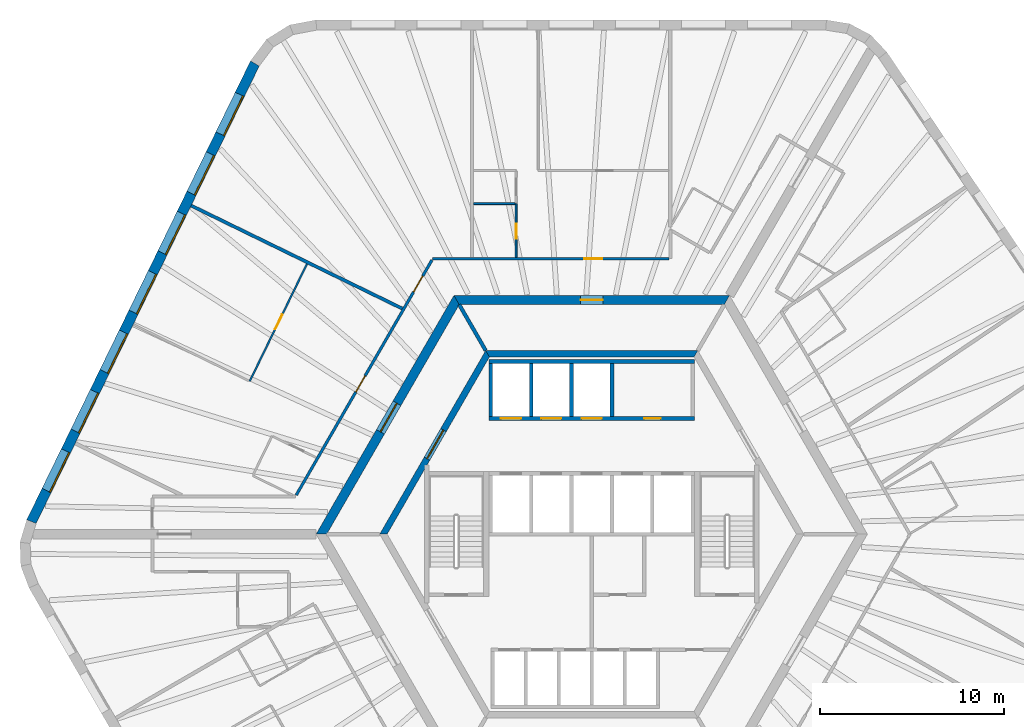
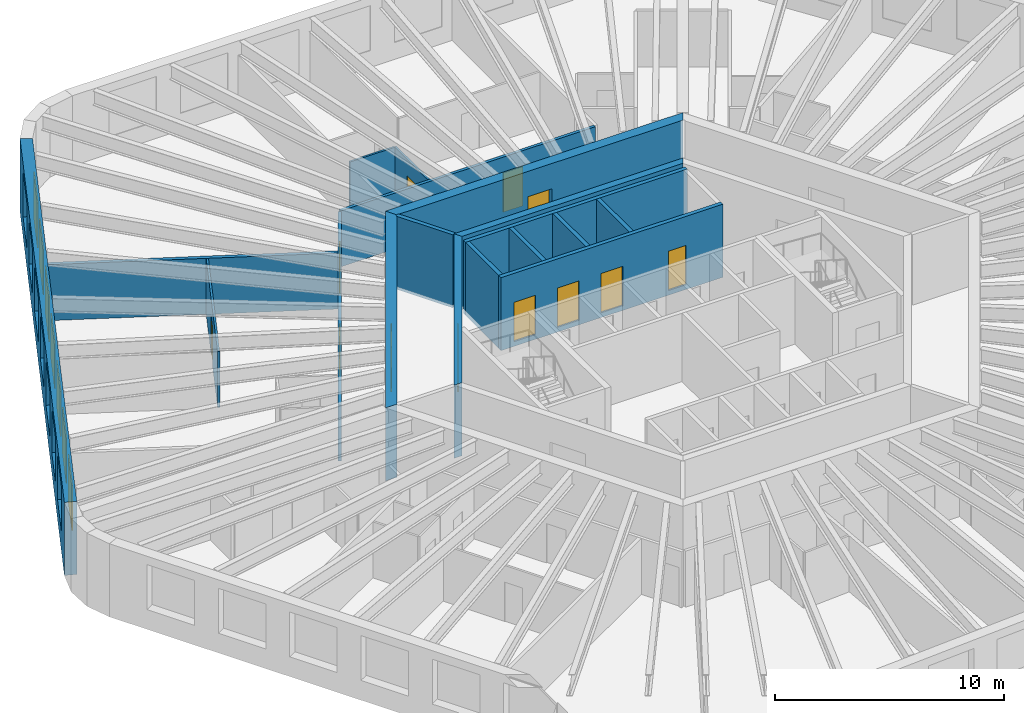
# One storey, part 7 of 10: 18 walls, 12 doors, 7 windows, 19 openings.
"""IFC4 building model written with IfcOpenShell, lengths in metres."""

from ifc_helpers import new_model, si_unit, direction, frame, frame_2d, origin, place, context, subcontext, project, spatial, polyline, rectangle, outline, extrude, material, layer, layer_set, type_object, element, fill, save


model = new_model("IFC4")

# Units and contexts
model_context = context("Model", 3, precision=1e-05, world=origin(), true_north=direction((0.0, 1.0)))
body_context = subcontext(model_context, "Body", "Model", "MODEL_VIEW")
ifc_project = project(units=[si_unit("LENGTHUNIT", "METRE"), si_unit("AREAUNIT", "SQUARE_METRE"), si_unit("VOLUMEUNIT", "CUBIC_METRE"), si_unit("PLANEANGLEUNIT", "RADIAN"), si_unit("MASSUNIT", "GRAM", prefix="KILO")], contexts=[model_context])

# Site, building, storey
site_placement = place(None, origin())
site = spatial("IfcSite", under=ifc_project, at=site_placement, CompositionType="ELEMENT")
building_placement = place(site_placement, origin())
building = spatial("IfcBuilding", under=site, at=building_placement, Name="Tarnside Tower", CompositionType="ELEMENT")
storey_placement = place(building_placement, frame((0.0, 0.0, 203.39990234375)))
storey = spatial("IfcBuildingStorey", under=building, at=storey_placement, Name="L48", CompositionType="ELEMENT", Elevation=203.39990234375)

# Wall, opening, door
ifc_material_1 = material(Name="Gypsum board partition on steel studs", Category="steel")
ifc_layer_1 = layer(ifc_material_1, 0.10009765625)
ifc_layer_set_1 = layer_set([ifc_layer_1], Name="Bathroom wall 100")
wall_type_1 = type_object("IfcWallType", Name="Bathroom wall 100", PredefinedType="PARTITIONING", material=ifc_layer_set_1)
wall_1_placement = place(storey_placement, frame((-4.117919921875, 18.0, 0.0), z_axis=(0.0, 0.0, 1.0), x_axis=(0.0, -1.0, 0.0)))
wall_1 = element("IfcWall", 1, at=wall_1_placement, inside=storey, type_object=wall_type_1, Name="Bathroom wall 15054", PredefinedType="PARTITIONING", context=body_context, shape_type="SweptSolid", body=[
    extrude(rectangle(XDim=2.925048828125, YDim=0.10009765625, at=frame_2d((1.46240234375, 0.0))), origin(), (0.0, 0.0, 1.0), 2.98779296875),
])
opening_1_placement = place(wall_1_placement, frame((1.10009765625, 0.0, 0.0)))
opening_1 = element("IfcOpeningElement", 2, at=opening_1_placement, cuts=wall_1, Name="Opening D-B1", PredefinedType="OPENING", context=body_context, shape_type="SweptSolid", body=[
    extrude(rectangle(XDim=0.800048828125, YDim=2.10009765625, at=frame_2d((0.39990234375, 1.050048828125))), frame((0.0, 0.06005859375, 0.0), z_axis=(0.0, -1.0, 0.0), x_axis=(1.0, 0.0, 0.0)), (0.0, 0.0, 1.0), 0.1201171875),
])
ifc_material_2 = material(Name="Timber door leaf", Category="wood")
door_type_1 = type_object("IfcDoorType", Name="Bathroom door 800", OperationType="NOTDEFINED", PredefinedType="DOOR", material=ifc_material_2)
door_1_placement = place(opening_1_placement, origin())
door_1 = element("IfcDoor", 3, at=door_1_placement, inside=storey, type_object=door_type_1, Name="Bathroom door 15004", OperationType="SINGLE_SWING_LEFT", OverallHeight=2.10009765625, OverallWidth=0.800048828125, PredefinedType="DOOR", context=body_context, shape_type="SweptSolid", body=[
    extrude(rectangle(XDim=0.800048828125, YDim=2.10009765625, at=frame_2d((0.39990234375, 1.050048828125))), frame((0.0, 0.02490234375, 0.0), z_axis=(0.0, -1.0, 0.0), x_axis=(1.0, 0.0, 0.0)), (0.0, 0.0, 1.0), 0.050048828125),
])
fill(opening_1, door_1)

# Wall
wall_2_placement = place(storey_placement, frame((-4.16796875, 18.0, 0.0), z_axis=(0.0, 0.0, 1.0), x_axis=(-1.0, 0.0, 0.0)))
element("IfcWall", 4, at=wall_2_placement, inside=storey, type_object=wall_type_1, Name="Bathroom wall 15060", PredefinedType="PARTITIONING", context=body_context, shape_type="SweptSolid", body=[
    extrude(rectangle(XDim=2.260009765625, YDim=0.10009765625, at=frame_2d((1.1298828125, 0.0))), origin(), (0.0, 0.0, 1.0), 2.98779296875),
])

# Wall, opening, door
ifc_material_3 = material(Name="Concrete C50/60", Category="concrete")
ifc_layer_2 = layer(ifc_material_3, 0.35009765625)
ifc_layer_set_2 = layer_set([ifc_layer_2], Name="Core block wall 350 C50/60")
wall_type_2 = type_object("IfcWallType", Name="Core block wall 350 C50/60", PredefinedType="SHEAR", material=ifc_layer_set_2)
wall_3_placement = place(storey_placement, frame((-5.672607421875, 9.824951171875, -0.14990234375), z_axis=(0.0, 0.0, 1.0), x_axis=(-0.499995046907, -0.866028263435, 0.0)))
wall_3 = element("IfcWall", 5, at=wall_3_placement, inside=storey, type_object=wall_type_2, Name="L48 core block wall face 2", PredefinedType="SHEAR", context=body_context, shape_type="SweptSolid", body=[
    extrude(outline(polyline([(-0.10107421875, -0.175048828125), (11.44580078125, -0.175048828125), (11.24365234375, 0.175048828125), (0.10107421875, 0.175048828125), (-0.10107421875, -0.175048828125)])), origin(), (0.0, 0.0, 1.0), 3.89990234375),
])
opening_2_placement = place(wall_3_placement, frame((4.80126953125, 0.0, 0.14990234375)))
opening_2 = element("IfcOpeningElement", 6, at=opening_2_placement, cuts=wall_3, Name="Opening CD-LOB", PredefinedType="OPENING", context=body_context, shape_type="SweptSolid", body=[
    extrude(rectangle(XDim=1.800048828125, YDim=2.39990234375, at=frame_2d((0.89990234375, 1.199951171875))), frame((0.0, 0.18505859375, 0.0), z_axis=(0.0, -1.0, 0.0), x_axis=(1.0, 0.0, 0.0)), (0.0, 0.0, 1.0), 0.3701171875),
])
ifc_material_4 = material(Name="Steel fire door", Category="steel")
door_type_2 = type_object("IfcDoorType", Name="Lobby double door FD30S 1800x2400", OperationType="NOTDEFINED", PredefinedType="DOOR", material=ifc_material_4)
door_2_placement = place(opening_2_placement, origin())
door_2 = element("IfcDoor", 7, at=door_2_placement, inside=storey, type_object=door_type_2, Name="L48 lobby block door P1", OperationType="DOUBLE_DOOR_SINGLE_SWING", OverallHeight=2.39990234375, OverallWidth=1.800048828125, PredefinedType="DOOR", context=body_context, shape_type="SweptSolid", body=[
    extrude(rectangle(XDim=1.800048828125, YDim=2.39990234375, at=frame_2d((0.89990234375, 1.199951171875))), frame((0.0, 0.02490234375, 0.0), z_axis=(0.0, -1.0, 0.0), x_axis=(1.0, 0.0, 0.0)), (0.0, 0.0, 1.0), 0.050048828125),
])
fill(opening_2, door_2)

# Wall
wall_4_placement = place(storey_placement, frame((5.672607421875, 9.824951171875, -0.14990234375), z_axis=(0.0, 0.0, 1.0), x_axis=(-1.0, 0.0, 0.0)))
element("IfcWall", 8, at=wall_4_placement, inside=storey, type_object=wall_type_2, Name="L48 core block wall face 1", PredefinedType="SHEAR", context=body_context, shape_type="SweptSolid", body=[
    extrude(outline(polyline([(-0.10107421875, -0.175048828125), (11.4462890625, -0.175048828125), (11.244140625, 0.175048828125), (0.10107421875, 0.175048828125), (-0.10107421875, -0.175048828125)])), origin(), (0.0, 0.0, 1.0), 3.89990234375),
])

# Wall, opening, door
ifc_material_5 = material(Name="Concrete C70/85", Category="concrete")
ifc_layer_3 = layer(ifc_material_5, 0.5)
ifc_layer_set_3 = layer_set([ifc_layer_3], Name="Core wall Z2 500 C70/85")
wall_type_3 = type_object("IfcWallType", Name="Core wall Z2 500 C70/85", PredefinedType="SHEAR", material=ifc_layer_set_3)
wall_5_placement = place(storey_placement, frame((-7.361083984375, 12.75, -0.14990234375), z_axis=(0.0, 0.0, 1.0), x_axis=(-0.50000571537, -0.866022103989, 0.0)))
wall_5 = element("IfcWall", 9, at=wall_5_placement, inside=storey, type_object=wall_type_3, Name="L48 core wall face 2", PredefinedType="SHEAR", context=body_context, shape_type="SweptSolid", body=[
    extrude(outline(polyline([(-0.144287109375, -0.25), (14.86669921875, -0.25), (14.578125, 0.25), (0.144287109375, 0.25), (-0.144287109375, -0.25)])), origin(), (0.0, 0.0, 1.0), 3.89990234375),
])
opening_3_placement = place(wall_5_placement, frame((6.489990234375, 0.0, 0.14990234375)))
opening_3 = element("IfcOpeningElement", 10, at=opening_3_placement, cuts=wall_5, Name="Opening CD-LOB", PredefinedType="OPENING", context=body_context, shape_type="SweptSolid", body=[
    extrude(rectangle(XDim=1.800048828125, YDim=2.39990234375, at=frame_2d((0.89990234375, 1.199951171875))), frame((0.0, 0.260009765625, 0.0), z_axis=(0.0, -1.0, 0.0), x_axis=(1.0, 0.0, 0.0)), (0.0, 0.0, 1.0), 0.52001953125),
])
door_3_placement = place(opening_3_placement, origin())
door_3 = element("IfcDoor", 11, at=door_3_placement, inside=storey, type_object=door_type_2, Name="L48 core door P1", OperationType="DOUBLE_DOOR_SINGLE_SWING", OverallHeight=2.39990234375, OverallWidth=1.800048828125, PredefinedType="DOOR", context=body_context, shape_type="SweptSolid", body=[
    extrude(rectangle(XDim=1.800048828125, YDim=2.39990234375, at=frame_2d((0.89990234375, 1.199951171875))), frame((0.0, 0.02490234375, 0.0), z_axis=(0.0, -1.0, 0.0), x_axis=(1.0, 0.0, 0.0)), (0.0, 0.0, 1.0), 0.050048828125),
])
fill(opening_3, door_3)

wall_6_placement = place(storey_placement, frame((7.361083984375, 12.75, -0.14990234375), z_axis=(0.0, 0.0, 1.0), x_axis=(-1.0, 0.0, 0.0)))
wall_6 = element("IfcWall", 12, at=wall_6_placement, inside=storey, type_object=wall_type_3, Name="L48 core wall face 1", PredefinedType="SHEAR", context=body_context, shape_type="SweptSolid", body=[
    extrude(outline(polyline([(-0.144287109375, -0.25), (14.866455078125, -0.25), (14.577880859375, 0.25), (0.144287109375, 0.25), (-0.144287109375, -0.25)])), origin(), (0.0, 0.0, 1.0), 3.89990234375),
])
opening_4_placement = place(wall_6_placement, frame((6.76123046875, 0.0, 0.14990234375)))
opening_4 = element("IfcOpeningElement", 13, at=opening_4_placement, cuts=wall_6, Name="Opening CD-RSR", PredefinedType="OPENING", context=body_context, shape_type="SweptSolid", body=[
    extrude(rectangle(XDim=1.199951171875, YDim=2.39990234375, at=frame_2d((0.60009765625, 1.199951171875))), frame((0.0, 0.260009765625, 0.0), z_axis=(0.0, -1.0, 0.0), x_axis=(1.0, 0.0, 0.0)), (0.0, 0.0, 1.0), 0.52001953125),
])
door_type_3 = type_object("IfcDoorType", Name="Riser door FD60 1200x2400", OperationType="NOTDEFINED", PredefinedType="DOOR", material=ifc_material_4)
door_4_placement = place(opening_4_placement, origin())
door_4 = element("IfcDoor", 14, at=door_4_placement, inside=storey, type_object=door_type_3, Name="L48 core door S5", OperationType="SINGLE_SWING_LEFT", OverallHeight=2.39990234375, OverallWidth=1.199951171875, PredefinedType="DOOR", context=body_context, shape_type="SweptSolid", body=[
    extrude(rectangle(XDim=1.199951171875, YDim=2.39990234375, at=frame_2d((0.60009765625, 1.199951171875))), frame((0.0, 0.02490234375, 0.0), z_axis=(0.0, -1.0, 0.0), x_axis=(1.0, 0.0, 0.0)), (0.0, 0.0, 1.0), 0.050048828125),
])
fill(opening_4, door_4)

ifc_layer_4 = layer(ifc_material_1, 0.14990234375)
ifc_layer_set_4 = layer_set([ifc_layer_4], Name="Corridor wall 150 EI 60")
wall_type_4 = type_object("IfcWallType", Name="Corridor wall 150 EI 60", PredefinedType="PARTITIONING", material=ifc_layer_set_4)
wall_7_placement = place(storey_placement, frame((4.20703125, 15.0, 0.0), z_axis=(0.0, 0.0, 1.0), x_axis=(-1.0, 0.0, 0.0)))
wall_7 = element("IfcWall", 15, at=wall_7_placement, inside=storey, type_object=wall_type_4, Name="Corridor wall 15006", PredefinedType="PARTITIONING", context=body_context, shape_type="SweptSolid", body=[
    extrude(rectangle(XDim=12.8671875, YDim=0.14990234375, at=frame_2d((6.43359375, 0.0))), origin(), (0.0, 0.0, 1.0), 2.98779296875),
])
opening_5_placement = place(wall_7_placement, frame((3.625, 0.0, 0.0)))
opening_5 = element("IfcOpeningElement", 16, at=opening_5_placement, cuts=wall_7, Name="Opening D-E1", PredefinedType="OPENING", context=body_context, shape_type="SweptSolid", body=[
    extrude(rectangle(XDim=1.0, YDim=2.10009765625, at=frame_2d((0.5, 1.050048828125))), frame((0.0, 0.0849609375, 0.0), z_axis=(0.0, -1.0, 0.0), x_axis=(1.0, 0.0, 0.0)), (0.0, 0.0, 1.0), 0.169921875),
])
door_type_4 = type_object("IfcDoorType", Name="Unit entrance door 1000 FD30S", OperationType="NOTDEFINED", PredefinedType="DOOR", material=ifc_material_2)
door_5_placement = place(opening_5_placement, origin())
door_5 = element("IfcDoor", 17, at=door_5_placement, inside=storey, type_object=door_type_4, Name="Unit door 15003", OperationType="SINGLE_SWING_RIGHT", OverallHeight=2.10009765625, OverallWidth=1.0, PredefinedType="DOOR", context=body_context, shape_type="SweptSolid", body=[
    extrude(rectangle(XDim=1.0, YDim=2.10009765625, at=frame_2d((0.5, 1.050048828125))), frame((0.0, 0.02490234375, 0.0), z_axis=(0.0, -1.0, 0.0), x_axis=(1.0, 0.0, 0.0)), (0.0, 0.0, 1.0), 0.050048828125),
])
fill(opening_5, door_5)

# Wall, openings, doors
wall_8_placement = place(storey_placement, frame((-8.70361328125, 14.925048828125, 0.0), z_axis=(0.0, 0.0, 1.0), x_axis=(-0.500001272756, -0.866024668957, 0.0)))
wall_8 = element("IfcWall", 18, at=wall_8_placement, inside=storey, type_object=wall_type_4, Name="Corridor wall 15009", PredefinedType="PARTITIONING", context=body_context, shape_type="SweptSolid", body=[
    extrude(rectangle(XDim=14.7802734375, YDim=0.14990234375, at=frame_2d((7.39013671875, 0.0))), origin(), (0.0, 0.0, 1.0), 2.98779296875),
])
opening_6_placement = place(wall_8_placement, frame((1.0009765625, 0.0, 0.0)))
opening_6 = element("IfcOpeningElement", 19, at=opening_6_placement, cuts=wall_8, Name="Opening D-E1", PredefinedType="OPENING", context=body_context, shape_type="SweptSolid", body=[
    extrude(rectangle(XDim=1.0, YDim=2.10009765625, at=frame_2d((0.5, 1.050048828125))), frame((0.0, 0.0849609375, 0.0), z_axis=(0.0, -1.0, 0.0), x_axis=(1.0, 0.0, 0.0)), (0.0, 0.0, 1.0), 0.169921875),
])
opening_7_placement = place(wall_8_placement, frame((7.28076171875, 0.0, 0.0)))
opening_7 = element("IfcOpeningElement", 20, at=opening_7_placement, cuts=wall_8, Name="Opening D-E1", PredefinedType="OPENING", context=body_context, shape_type="SweptSolid", body=[
    extrude(rectangle(XDim=1.0, YDim=2.10009765625, at=frame_2d((0.5, 1.050048828125))), frame((0.0, 0.0849609375, 0.0), z_axis=(0.0, -1.0, 0.0), x_axis=(1.0, 0.0, 0.0)), (0.0, 0.0, 1.0), 0.169921875),
])
door_6_placement = place(opening_6_placement, origin())
door_6 = element("IfcDoor", 21, at=door_6_placement, inside=storey, type_object=door_type_4, Name="Unit door 15007", OperationType="SINGLE_SWING_RIGHT", OverallHeight=2.10009765625, OverallWidth=1.0, PredefinedType="DOOR", context=body_context, shape_type="SweptSolid", body=[
    extrude(rectangle(XDim=1.0, YDim=2.10009765625, at=frame_2d((0.5, 1.050048828125))), frame((0.0, 0.02490234375, 0.0), z_axis=(0.0, -1.0, 0.0), x_axis=(1.0, 0.0, 0.0)), (0.0, 0.0, 1.0), 0.050048828125),
])
fill(opening_6, door_6)
door_7_placement = place(opening_7_placement, origin())
door_7 = element("IfcDoor", 22, at=door_7_placement, inside=storey, type_object=door_type_4, Name="Unit door 15008", OperationType="SINGLE_SWING_RIGHT", OverallHeight=2.10009765625, OverallWidth=1.0, PredefinedType="DOOR", context=body_context, shape_type="SweptSolid", body=[
    extrude(rectangle(XDim=1.0, YDim=2.10009765625, at=frame_2d((0.5, 1.050048828125))), frame((0.0, 0.02490234375, 0.0), z_axis=(0.0, -1.0, 0.0), x_axis=(1.0, 0.0, 0.0)), (0.0, 0.0, 1.0), 0.050048828125),
])
fill(opening_7, door_7)

# Wall
ifc_layer_5 = layer(ifc_material_1, 0.179931640625)
ifc_layer_set_5 = layer_set([ifc_layer_5], Name="Demising wall 180 EI 60")
wall_type_5 = type_object("IfcWallType", Name="Demising wall 180 EI 60", PredefinedType="PARTITIONING", material=ifc_layer_set_5)
wall_9_placement = place(storey_placement, frame((-21.814697265625, 17.8916015625, 0.0), z_axis=(0.0, 0.0, 1.0), x_axis=(0.898799253997, -0.438360469265, 0.0)))
element("IfcWall", 23, at=wall_9_placement, inside=storey, type_object=wall_type_5, Name="Demising wall 15063", PredefinedType="PARTITIONING", context=body_context, shape_type="SweptSolid", body=[
    extrude(rectangle(XDim=12.7939453125, YDim=0.179931640625, at=frame_2d((6.39697265625, 0.0))), origin(), (0.0, 0.0, 1.0), 2.98779296875),
])

# Wall, openings, doors
ifc_material_6 = material(Name="Concrete C40/50", Category="concrete")
ifc_layer_6 = layer(ifc_material_6, 0.199951171875)
ifc_layer_set_6 = layer_set([ifc_layer_6], Name="Lift shaft wall 200 C40/50")
wall_type_6 = type_object("IfcWallType", Name="Lift shaft wall 200 C40/50", PredefinedType="SHEAR", material=ifc_layer_set_6)
wall_10_placement = place(storey_placement, frame((-5.60009765625, 6.300048828125, -0.25), z_axis=(0.0, 0.0, 1.0), x_axis=(1.0, 0.0, 0.0)))
wall_10 = element("IfcWall", 24, at=wall_10_placement, inside=storey, type_object=wall_type_6, Name="L48 lift shaft front wall R1", PredefinedType="SHEAR", context=body_context, shape_type="SweptSolid", body=[
    extrude(rectangle(XDim=11.2001953125, YDim=0.199951171875, at=frame_2d((5.60009765625, 0.0))), origin(), (0.0, 0.0, 1.0), 3.900146484375),
])
opening_8_placement = place(wall_10_placement, frame((8.449951171875, 0.0, 0.25)))
opening_8 = element("IfcOpeningElement", 25, at=opening_8_placement, cuts=wall_10, Name="Opening CD-room", PredefinedType="OPENING", context=body_context, shape_type="SweptSolid", body=[
    extrude(rectangle(XDim=0.89990234375, YDim=2.10009765625, at=frame_2d((0.449951171875, 1.050048828125))), frame((0.0, 0.10986328125, 0.0), z_axis=(0.0, -1.0, 0.0), x_axis=(1.0, 0.0, 0.0)), (0.0, 0.0, 1.0), 0.219970703125),
])
opening_9_placement = place(wall_10_placement, frame((0.64990234375, 0.0, 0.25)))
opening_9 = element("IfcOpeningElement", 26, at=opening_9_placement, cuts=wall_10, Name="Opening LD", PredefinedType="OPENING", context=body_context, shape_type="SweptSolid", body=[
    extrude(rectangle(XDim=1.10009765625, YDim=2.10009765625, at=frame_2d((0.550048828125, 1.050048828125))), frame((0.0, 0.10986328125, 0.0), z_axis=(0.0, -1.0, 0.0), x_axis=(1.0, 0.0, 0.0)), (0.0, 0.0, 1.0), 0.219970703125),
])
opening_10_placement = place(wall_10_placement, frame((2.85009765625, 0.0, 0.25)))
opening_10 = element("IfcOpeningElement", 27, at=opening_10_placement, cuts=wall_10, Name="Opening LD", PredefinedType="OPENING", context=body_context, shape_type="SweptSolid", body=[
    extrude(rectangle(XDim=1.10009765625, YDim=2.10009765625, at=frame_2d((0.550048828125, 1.050048828125))), frame((0.0, 0.10986328125, 0.0), z_axis=(0.0, -1.0, 0.0), x_axis=(1.0, 0.0, 0.0)), (0.0, 0.0, 1.0), 0.219970703125),
])
opening_11_placement = place(wall_10_placement, frame((5.050048828125, 0.0, 0.25)))
opening_11 = element("IfcOpeningElement", 28, at=opening_11_placement, cuts=wall_10, Name="Opening LD", PredefinedType="OPENING", context=body_context, shape_type="SweptSolid", body=[
    extrude(rectangle(XDim=1.10009765625, YDim=2.10009765625, at=frame_2d((0.550048828125, 1.050048828125))), frame((0.0, 0.10986328125, 0.0), z_axis=(0.0, -1.0, 0.0), x_axis=(1.0, 0.0, 0.0)), (0.0, 0.0, 1.0), 0.219970703125),
])
ifc_material_7 = material(Name="Stainless steel", Category="steel")
door_type_5 = type_object("IfcDoorType", Name="Lift landing door 1100x2100", OperationType="NOTDEFINED", PredefinedType="DOOR", material=ifc_material_7)
door_8_placement = place(opening_9_placement, origin())
door_8 = element("IfcDoor", 29, at=door_8_placement, inside=storey, type_object=door_type_5, Name="Mid-rise lift 1 landing door L48", OperationType="SLIDING_TO_LEFT", OverallHeight=2.10009765625, OverallWidth=1.10009765625, PredefinedType="DOOR", context=body_context, shape_type="SweptSolid", body=[
    extrude(rectangle(XDim=1.10009765625, YDim=2.10009765625, at=frame_2d((0.550048828125, 1.050048828125))), frame((0.0, 0.02490234375, 0.0), z_axis=(0.0, -1.0, 0.0), x_axis=(1.0, 0.0, 0.0)), (0.0, 0.0, 1.0), 0.050048828125),
])
fill(opening_9, door_8)
door_9_placement = place(opening_10_placement, origin())
door_9 = element("IfcDoor", 30, at=door_9_placement, inside=storey, type_object=door_type_5, Name="Mid-rise lift 2 landing door L48", OperationType="SLIDING_TO_LEFT", OverallHeight=2.10009765625, OverallWidth=1.10009765625, PredefinedType="DOOR", context=body_context, shape_type="SweptSolid", body=[
    extrude(rectangle(XDim=1.10009765625, YDim=2.10009765625, at=frame_2d((0.550048828125, 1.050048828125))), frame((0.0, 0.02490234375, 0.0), z_axis=(0.0, -1.0, 0.0), x_axis=(1.0, 0.0, 0.0)), (0.0, 0.0, 1.0), 0.050048828125),
])
fill(opening_10, door_9)
door_10_placement = place(opening_11_placement, origin())
door_10 = element("IfcDoor", 31, at=door_10_placement, inside=storey, type_object=door_type_5, Name="Mid-rise lift 3 landing door L48", OperationType="SLIDING_TO_LEFT", OverallHeight=2.10009765625, OverallWidth=1.10009765625, PredefinedType="DOOR", context=body_context, shape_type="SweptSolid", body=[
    extrude(rectangle(XDim=1.10009765625, YDim=2.10009765625, at=frame_2d((0.550048828125, 1.050048828125))), frame((0.0, 0.02490234375, 0.0), z_axis=(0.0, -1.0, 0.0), x_axis=(1.0, 0.0, 0.0)), (0.0, 0.0, 1.0), 0.050048828125),
])
fill(opening_11, door_10)
door_type_6 = type_object("IfcDoorType", Name="Room door FD60 900x2100", OperationType="NOTDEFINED", PredefinedType="DOOR", material=ifc_material_4)
door_11_placement = place(opening_8_placement, origin())
door_11 = element("IfcDoor", 32, at=door_11_placement, inside=storey, type_object=door_type_6, Name="L48 core room door FC1", OperationType="SINGLE_SWING_LEFT", OverallHeight=2.10009765625, OverallWidth=0.89990234375, PredefinedType="DOOR", context=body_context, shape_type="SweptSolid", body=[
    extrude(rectangle(XDim=0.89990234375, YDim=2.10009765625, at=frame_2d((0.449951171875, 1.050048828125))), frame((0.0, 0.02490234375, 0.0), z_axis=(0.0, -1.0, 0.0), x_axis=(1.0, 0.0, 0.0)), (0.0, 0.0, 1.0), 0.050048828125),
])
fill(opening_8, door_11)

# Walls
wall_11_placement = place(storey_placement, frame((-5.60009765625, 9.39990234375, -0.25), z_axis=(0.0, 0.0, 1.0), x_axis=(1.0, 0.0, 0.0)))
element("IfcWall", 33, at=wall_11_placement, inside=storey, type_object=wall_type_6, Name="L48 lift shaft back wall R1", PredefinedType="SHEAR", context=body_context, shape_type="SweptSolid", body=[
    extrude(rectangle(XDim=11.2001953125, YDim=0.199951171875, at=frame_2d((5.60009765625, 0.0))), origin(), (0.0, 0.0, 1.0), 3.900146484375),
])
for number, where, z_axis, x_axis, name in (
    (34, (-5.5, 6.39990234375, -0.25), (0.0, 0.0, 1.0), (0.0, 1.0, 0.0), "L48 lift shaft partition R11"),
    (35, (-3.300048828125, 6.39990234375, -0.25), (0.0, 0.0, 1.0), (0.0, 1.0, 0.0), "L48 lift shaft partition R12"),
    (36, (-1.10009765625, 6.39990234375, -0.25), (0.0, 0.0, 1.0), (0.0, 1.0, 0.0), "L48 lift shaft partition R13"),
    (37, (1.10009765625, 6.39990234375, -0.25), (0.0, 0.0, 1.0), (0.0, 1.0, 0.0), "L48 lift shaft partition R14"),
):
    element("IfcWall", number, at=place(storey_placement, frame(where, z_axis=z_axis, x_axis=x_axis)), inside=storey, type_object=wall_type_6, Name=name, PredefinedType="SHEAR", context=body_context, shape_type="SweptSolid", body=[
        extrude(rectangle(XDim=2.900146484375, YDim=0.199951171875, at=frame_2d((1.4501953125, 0.0))), origin(), (0.0, 0.0, 1.0), 3.900146484375),
    ])
wall_12_placement = place(storey_placement, frame((-5.7734375, 10.0, -0.14990234375), z_axis=(0.0, 0.0, 1.0), x_axis=(-0.499995765644, 0.866027848477, 0.0)))
element("IfcWall", 38, at=wall_12_placement, inside=storey, type_object=wall_type_6, Name="L48 core partition AR120", PredefinedType="SHEAR", context=body_context, shape_type="SweptSolid", body=[
    extrude(rectangle(XDim=2.88671875, YDim=0.199951171875, at=frame_2d((1.443359375, 0.0))), origin(), (0.0, 0.0, 1.0), 3.89990234375),
])

# Wall, opening, door
ifc_layer_7 = layer(ifc_material_1, 0.10009765625)
ifc_layer_set_7 = layer_set([ifc_layer_7], Name="Partition 100")
wall_type_7 = type_object("IfcWallType", Name="Partition 100", PredefinedType="PARTITIONING", material=ifc_layer_set_7)
wall_13_placement = place(storey_placement, frame((-15.510009765625, 14.716552734375, 0.0), z_axis=(0.0, 0.0, 1.0), x_axis=(-0.438387776054, -0.898785935475, 0.0)))
wall_13 = element("IfcWall", 39, at=wall_13_placement, inside=storey, type_object=wall_type_7, Name="Partition wall 15068", PredefinedType="PARTITIONING", context=body_context, shape_type="SweptSolid", body=[
    extrude(rectangle(XDim=7.110107421875, YDim=0.10009765625, at=frame_2d((3.55517578125, 0.0))), origin(), (0.0, 0.0, 1.0), 2.98779296875),
])
opening_12_placement = place(wall_13_placement, frame((3.06005859375, 0.0, 0.0)))
opening_12 = element("IfcOpeningElement", 40, at=opening_12_placement, cuts=wall_13, Name="Opening D-I1", PredefinedType="OPENING", context=body_context, shape_type="SweptSolid", body=[
    extrude(rectangle(XDim=0.89990234375, YDim=2.10009765625, at=frame_2d((0.449951171875, 1.050048828125))), frame((0.0, 0.06005859375, 0.0), z_axis=(0.0, -1.0, 0.0), x_axis=(1.0, 0.0, 0.0)), (0.0, 0.0, 1.0), 0.1201171875),
])
door_type_7 = type_object("IfcDoorType", Name="Internal door 900", OperationType="NOTDEFINED", PredefinedType="DOOR", material=ifc_material_2)
door_12_placement = place(opening_12_placement, origin())
door_12 = element("IfcDoor", 41, at=door_12_placement, inside=storey, type_object=door_type_7, Name="Internal door 15010", OperationType="SINGLE_SWING_RIGHT", OverallHeight=2.10009765625, OverallWidth=0.89990234375, PredefinedType="DOOR", context=body_context, shape_type="SweptSolid", body=[
    extrude(rectangle(XDim=0.89990234375, YDim=2.10009765625, at=frame_2d((0.449951171875, 1.050048828125))), frame((0.0, 0.02490234375, 0.0), z_axis=(0.0, -1.0, 0.0), x_axis=(1.0, 0.0, 0.0)), (0.0, 0.0, 1.0), 0.050048828125),
])
fill(opening_12, door_12)

# Wall, openings, windows
ifc_material_8 = material(Name="Facing brick", Category="masonry")
ifc_layer_8 = layer(ifc_material_8, 0.10205078125)
ifc_material_9 = material(Name="Concrete C60/75 precast", Category="concrete")
ifc_layer_9 = layer(ifc_material_9, 0.347900390625)
ifc_material_10 = material(Name="Mineral wool insulation")
ifc_layer_10 = layer(ifc_material_10, 0.10009765625)
ifc_layer_set_8 = layer_set([ifc_layer_8, ifc_layer_9, ifc_layer_10], Name="Tube wall 550 brick faced")
wall_type_8 = type_object("IfcWallType", Name="Tube wall 550 brick faced", PredefinedType="SOLIDWALL", material=ifc_layer_set_8)
wall_14_placement = place(storey_placement, frame((-18.344970703125, 25.6328125, -0.14990234375), z_axis=(0.0, 0.0, 1.0), x_axis=(-0.43837181828, -0.898793718791, 0.0)))
wall_14 = element("IfcWall", 42, at=wall_14_placement, inside=storey, type_object=wall_type_8, Name="Tube wall L48 F2 flush 04", PredefinedType="SOLIDWALL", context=body_context, shape_type="SweptSolid", body=[
    extrude(outline(polyline([(-0.025634765625, -0.27490234375), (27.7802734375, -0.27490234375), (27.7353515625, 0.27490234375), (0.025634765625, 0.27490234375), (-0.025634765625, -0.27490234375)])), origin(), (0.0, 0.0, 1.0), 3.89990234375),
])
opening_13_placement = place(wall_14_placement, frame((1.87890625, 0.0, 1.050048828125)))
opening_13 = element("IfcOpeningElement", 43, at=opening_13_placement, cuts=wall_14, Name="Opening WH", PredefinedType="OPENING", context=body_context, shape_type="SweptSolid", body=[
    extrude(rectangle(XDim=2.39990234375, YDim=2.39990234375, at=frame_2d((1.199951171875, 1.199951171875))), frame((0.0, 0.28515625, 0.0), z_axis=(0.0, -1.0, 0.0), x_axis=(1.0, 0.0, 0.0)), (0.0, 0.0, 1.0), 0.570068359375),
])
opening_14_placement = place(wall_14_placement, frame((5.47900390625, 0.0, 1.050048828125)))
opening_14 = element("IfcOpeningElement", 44, at=opening_14_placement, cuts=wall_14, Name="Opening WH", PredefinedType="OPENING", context=body_context, shape_type="SweptSolid", body=[
    extrude(rectangle(XDim=2.39990234375, YDim=2.39990234375, at=frame_2d((1.199951171875, 1.199951171875))), frame((0.0, 0.28515625, 0.0), z_axis=(0.0, -1.0, 0.0), x_axis=(1.0, 0.0, 0.0)), (0.0, 0.0, 1.0), 0.570068359375),
])
opening_15_placement = place(wall_14_placement, frame((9.078857421875, 0.0, 1.050048828125)))
opening_15 = element("IfcOpeningElement", 45, at=opening_15_placement, cuts=wall_14, Name="Opening WH", PredefinedType="OPENING", context=body_context, shape_type="SweptSolid", body=[
    extrude(rectangle(XDim=2.39990234375, YDim=2.39990234375, at=frame_2d((1.199951171875, 1.199951171875))), frame((0.0, 0.28515625, 0.0), z_axis=(0.0, -1.0, 0.0), x_axis=(1.0, 0.0, 0.0)), (0.0, 0.0, 1.0), 0.570068359375),
])
opening_16_placement = place(wall_14_placement, frame((12.678955078125, 0.0, 1.050048828125)))
opening_16 = element("IfcOpeningElement", 46, at=opening_16_placement, cuts=wall_14, Name="Opening WH", PredefinedType="OPENING", context=body_context, shape_type="SweptSolid", body=[
    extrude(rectangle(XDim=2.39990234375, YDim=2.39990234375, at=frame_2d((1.199951171875, 1.199951171875))), frame((0.0, 0.28515625, 0.0), z_axis=(0.0, -1.0, 0.0), x_axis=(1.0, 0.0, 0.0)), (0.0, 0.0, 1.0), 0.570068359375),
])
opening_17_placement = place(wall_14_placement, frame((16.27880859375, 0.0, 1.050048828125)))
opening_17 = element("IfcOpeningElement", 47, at=opening_17_placement, cuts=wall_14, Name="Opening WH", PredefinedType="OPENING", context=body_context, shape_type="SweptSolid", body=[
    extrude(rectangle(XDim=2.39990234375, YDim=2.39990234375, at=frame_2d((1.199951171875, 1.199951171875))), frame((0.0, 0.28515625, 0.0), z_axis=(0.0, -1.0, 0.0), x_axis=(1.0, 0.0, 0.0)), (0.0, 0.0, 1.0), 0.570068359375),
])
opening_18_placement = place(wall_14_placement, frame((19.87890625, 0.0, 1.050048828125)))
opening_18 = element("IfcOpeningElement", 48, at=opening_18_placement, cuts=wall_14, Name="Opening WH", PredefinedType="OPENING", context=body_context, shape_type="SweptSolid", body=[
    extrude(rectangle(XDim=2.39990234375, YDim=2.39990234375, at=frame_2d((1.199951171875, 1.199951171875))), frame((0.0, 0.28515625, 0.0), z_axis=(0.0, -1.0, 0.0), x_axis=(1.0, 0.0, 0.0)), (0.0, 0.0, 1.0), 0.570068359375),
])
opening_19_placement = place(wall_14_placement, frame((23.47900390625, 0.0, 1.050048828125)))
opening_19 = element("IfcOpeningElement", 49, at=opening_19_placement, cuts=wall_14, Name="Opening WH", PredefinedType="OPENING", context=body_context, shape_type="SweptSolid", body=[
    extrude(rectangle(XDim=2.39990234375, YDim=2.39990234375, at=frame_2d((1.199951171875, 1.199951171875))), frame((0.0, 0.28515625, 0.0), z_axis=(0.0, -1.0, 0.0), x_axis=(1.0, 0.0, 0.0)), (0.0, 0.0, 1.0), 0.570068359375),
])
ifc_material_11 = material(Name="Aluminium-framed double glazing", Category="aluminium")
window_type = type_object("IfcWindowType", Name="Hotel window 2400 x 2400", PartitioningType="DOUBLE_PANEL_VERTICAL", PredefinedType="WINDOW", material=ifc_material_11)
window_1_placement = place(opening_13_placement, frame((0.0, 0.205078125, 0.0)))
window_1 = element("IfcWindow", 50, at=window_1_placement, inside=storey, type_object=window_type, Name="E.WN.L48.F2.00", OverallHeight=2.39990234375, OverallWidth=2.39990234375, PartitioningType="DOUBLE_PANEL_VERTICAL", PredefinedType="WINDOW", context=body_context, shape_type="SweptSolid", body=[
    extrude(rectangle(XDim=2.39990234375, YDim=2.39990234375, at=frame_2d((1.199951171875, 1.199951171875))), frame((0.0, 0.030029296875, 0.0), z_axis=(0.0, -1.0, 0.0), x_axis=(1.0, 0.0, 0.0)), (0.0, 0.0, 1.0), 0.06005859375),
])
fill(opening_13, window_1)
window_2_placement = place(opening_14_placement, frame((0.0, 0.205078125, 0.0)))
window_2 = element("IfcWindow", 51, at=window_2_placement, inside=storey, type_object=window_type, Name="E.WN.L48.F2.01", OverallHeight=2.39990234375, OverallWidth=2.39990234375, PartitioningType="DOUBLE_PANEL_VERTICAL", PredefinedType="WINDOW", context=body_context, shape_type="SweptSolid", body=[
    extrude(rectangle(XDim=2.39990234375, YDim=2.39990234375, at=frame_2d((1.199951171875, 1.199951171875))), frame((0.0, 0.030029296875, 0.0), z_axis=(0.0, -1.0, 0.0), x_axis=(1.0, 0.0, 0.0)), (0.0, 0.0, 1.0), 0.06005859375),
])
fill(opening_14, window_2)
window_3_placement = place(opening_15_placement, frame((0.0, 0.205078125, 0.0)))
window_3 = element("IfcWindow", 52, at=window_3_placement, inside=storey, type_object=window_type, Name="E.WN.L48.F2.02", OverallHeight=2.39990234375, OverallWidth=2.39990234375, PartitioningType="DOUBLE_PANEL_VERTICAL", PredefinedType="WINDOW", context=body_context, shape_type="SweptSolid", body=[
    extrude(rectangle(XDim=2.39990234375, YDim=2.39990234375, at=frame_2d((1.199951171875, 1.199951171875))), frame((0.0, 0.030029296875, 0.0), z_axis=(0.0, -1.0, 0.0), x_axis=(1.0, 0.0, 0.0)), (0.0, 0.0, 1.0), 0.06005859375),
])
fill(opening_15, window_3)
window_4_placement = place(opening_16_placement, frame((0.0, 0.205078125, 0.0)))
window_4 = element("IfcWindow", 53, at=window_4_placement, inside=storey, type_object=window_type, Name="E.WN.L48.F2.03", OverallHeight=2.39990234375, OverallWidth=2.39990234375, PartitioningType="DOUBLE_PANEL_VERTICAL", PredefinedType="WINDOW", context=body_context, shape_type="SweptSolid", body=[
    extrude(rectangle(XDim=2.39990234375, YDim=2.39990234375, at=frame_2d((1.199951171875, 1.199951171875))), frame((0.0, 0.030029296875, 0.0), z_axis=(0.0, -1.0, 0.0), x_axis=(1.0, 0.0, 0.0)), (0.0, 0.0, 1.0), 0.06005859375),
])
fill(opening_16, window_4)
window_5_placement = place(opening_17_placement, frame((0.0, 0.205078125, 0.0)))
window_5 = element("IfcWindow", 54, at=window_5_placement, inside=storey, type_object=window_type, Name="E.WN.L48.F2.04", OverallHeight=2.39990234375, OverallWidth=2.39990234375, PartitioningType="DOUBLE_PANEL_VERTICAL", PredefinedType="WINDOW", context=body_context, shape_type="SweptSolid", body=[
    extrude(rectangle(XDim=2.39990234375, YDim=2.39990234375, at=frame_2d((1.199951171875, 1.199951171875))), frame((0.0, 0.030029296875, 0.0), z_axis=(0.0, -1.0, 0.0), x_axis=(1.0, 0.0, 0.0)), (0.0, 0.0, 1.0), 0.06005859375),
])
fill(opening_17, window_5)
window_6_placement = place(opening_18_placement, frame((0.0, 0.205078125, 0.0)))
window_6 = element("IfcWindow", 55, at=window_6_placement, inside=storey, type_object=window_type, Name="E.WN.L48.F2.05", OverallHeight=2.39990234375, OverallWidth=2.39990234375, PartitioningType="DOUBLE_PANEL_VERTICAL", PredefinedType="WINDOW", context=body_context, shape_type="SweptSolid", body=[
    extrude(rectangle(XDim=2.39990234375, YDim=2.39990234375, at=frame_2d((1.199951171875, 1.199951171875))), frame((0.0, 0.030029296875, 0.0), z_axis=(0.0, -1.0, 0.0), x_axis=(1.0, 0.0, 0.0)), (0.0, 0.0, 1.0), 0.06005859375),
])
fill(opening_18, window_6)
window_7_placement = place(opening_19_placement, frame((0.0, 0.205078125, 0.0)))
window_7 = element("IfcWindow", 56, at=window_7_placement, inside=storey, type_object=window_type, Name="E.WN.L48.F2.06", OverallHeight=2.39990234375, OverallWidth=2.39990234375, PartitioningType="DOUBLE_PANEL_VERTICAL", PredefinedType="WINDOW", context=body_context, shape_type="SweptSolid", body=[
    extrude(rectangle(XDim=2.39990234375, YDim=2.39990234375, at=frame_2d((1.199951171875, 1.199951171875))), frame((0.0, 0.030029296875, 0.0), z_axis=(0.0, -1.0, 0.0), x_axis=(1.0, 0.0, 0.0)), (0.0, 0.0, 1.0), 0.06005859375),
])
fill(opening_19, window_7)

save(model, "model.ifc")
